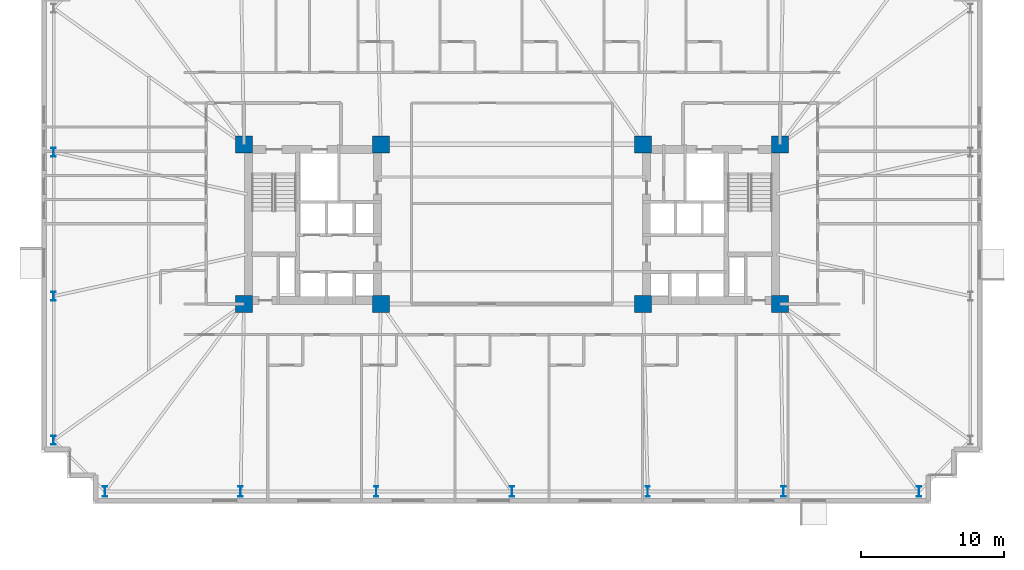
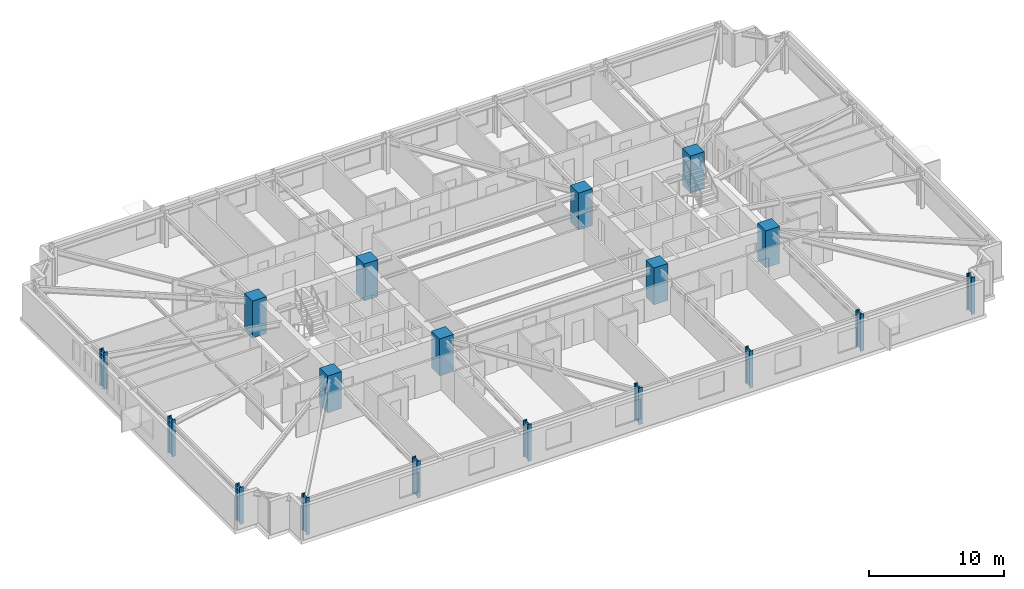
# One storey, part 1 of 21: 18 columns.
"""IFC4 building model written with IfcOpenShell, lengths in metres."""

from ifc_helpers import new_model, si_unit, direction, frame, origin, origin_2d, place, context, subcontext, project, spatial, rectangle, i_section, extrude, material, material_profile, profile_set, type_object, element, save


model = new_model("IFC4")

# Units and contexts
model_context = context("Model", 3, precision=1e-05, world=origin(), true_north=direction((0.0, 1.0)))
body_context = subcontext(model_context, "Body", "Model", "MODEL_VIEW")
ifc_project = project(units=[si_unit("LENGTHUNIT", "METRE"), si_unit("AREAUNIT", "SQUARE_METRE"), si_unit("VOLUMEUNIT", "CUBIC_METRE"), si_unit("PLANEANGLEUNIT", "RADIAN"), si_unit("MASSUNIT", "GRAM", prefix="KILO")], contexts=[model_context])

# Site, building, storey
site_placement = place(None, origin())
site = spatial("IfcSite", under=ifc_project, at=site_placement, CompositionType="ELEMENT")
building_placement = place(site_placement, origin())
building = spatial("IfcBuilding", under=site, at=building_placement, Name="Qobustan Lattice House", CompositionType="ELEMENT")
storey_placement = place(building_placement, frame((0.0, 0.0, 57.14990234375)))
storey = spatial("IfcBuildingStorey", under=building, at=storey_placement, Name="L15", CompositionType="ELEMENT", Elevation=57.14990234375)

# Columns
ifc_material_1 = material(Name="Concrete C60/75", Category="concrete")
ifc_material_profile_1 = material_profile(ifc_material_1, rectangle(XDim=1.199951171875, YDim=1.199951171875, at=origin_2d()), Name="RC1200x1200")
ifc_profile_set_1 = profile_set([ifc_material_profile_1], Name="Concrete C60/75")
column_type_1 = type_object("IfcColumnType", Name="COL-RC-1200", PredefinedType="COLUMN", material=ifc_profile_set_1)
for number, where, z_axis, x_axis, name in (
    (1, (-18.800048828125, -5.60009765625, 0.0), (0.0, 0.0, 1.0), (1.0, 0.0, 0.0), "L15 core mega-column CW-SW"),
    (2, (-18.800048828125, 5.60009765625, 0.0), (0.0, 0.0, 1.0), (1.0, 0.0, 0.0), "L15 core mega-column CW-NW"),
    (3, (-9.199951171875, -5.60009765625, 0.0), (0.0, 0.0, 1.0), (1.0, 0.0, 0.0), "L15 core mega-column CW-SE"),
    (4, (-9.199951171875, 5.60009765625, 0.0), (0.0, 0.0, 1.0), (1.0, 0.0, 0.0), "L15 core mega-column CW-NE"),
    (5, (9.199951171875, -5.60009765625, 0.0), (0.0, 0.0, 1.0), (1.0, 0.0, 0.0), "L15 core mega-column CE-SW"),
    (6, (9.199951171875, 5.60009765625, 0.0), (0.0, 0.0, 1.0), (1.0, 0.0, 0.0), "L15 core mega-column CE-NW"),
    (7, (18.800048828125, -5.60009765625, 0.0), (0.0, 0.0, 1.0), (1.0, 0.0, 0.0), "L15 core mega-column CE-SE"),
    (8, (18.800048828125, 5.60009765625, 0.0), (0.0, 0.0, 1.0), (1.0, 0.0, 0.0), "L15 core mega-column CE-NE"),
):
    element("IfcColumn", number, at=place(storey_placement, frame(where, z_axis=z_axis, x_axis=x_axis)), inside=storey, type_object=column_type_1, Name=name, PredefinedType="COLUMN", context=body_context, shape_type="SweptSolid", body=[
        extrude(rectangle(XDim=1.199951171875, YDim=1.199951171875, at=origin_2d()), origin(), (0.0, 0.0, 1.0), 3.35009765625),
    ])
ifc_material_2 = material(Name="Steel S460", Category="steel")
ifc_material_profile_2 = material_profile(ifc_material_2, i_section(OverallWidth=0.304931640625, OverallDepth=0.6201171875, WebThickness=0.02099609375, FlangeThickness=0.0400390625, FilletRadius=0.027099609375, at=origin_2d()), Name="HEM600")
ifc_profile_set_2 = profile_set([ifc_material_profile_2], Name="Steel S460")
column_type_2 = type_object("IfcColumnType", Name="COL-ST-HEM600", PredefinedType="COLUMN", material=ifc_profile_set_2)
for number, where, z_axis, x_axis, name in (
    (9, (-32.14990234375, 5.050048828125, 0.0), (0.0, 0.0, 1.0), (1.0, 0.0, 0.0), "L15 B1 perimeter column W2"),
    (10, (-32.14990234375, -5.050048828125, 0.0), (0.0, 0.0, 1.0), (1.0, 0.0, 0.0), "L15 B1 perimeter column W3"),
    (11, (-32.14990234375, -15.14990234375, 0.0), (0.0, 0.0, 1.0), (1.0, 0.0, 0.0), "L15 B1 perimeter column W4"),
):
    element("IfcColumn", number, at=place(storey_placement, frame(where, z_axis=z_axis, x_axis=x_axis)), inside=storey, type_object=column_type_2, Name=name, PredefinedType="COLUMN", context=body_context, shape_type="SweptSolid", body=[
        extrude(i_section(OverallWidth=0.304931640625, OverallDepth=0.6201171875, WebThickness=0.02099609375, FlangeThickness=0.0400390625, FilletRadius=0.027099609375, at=origin_2d()), origin(), (0.0, 0.0, 1.0), 3.35009765625),
    ])
ifc_material_3 = material(Name="Steel S460", Category="steel")
ifc_material_profile_3 = material_profile(ifc_material_3, i_section(OverallWidth=0.303955078125, OverallDepth=0.716064453125, WebThickness=0.02099609375, FlangeThickness=0.0400390625, FilletRadius=0.027099609375, at=origin_2d()), Name="HEM700")
ifc_profile_set_3 = profile_set([ifc_material_profile_3], Name="Steel S460")
column_type_3 = type_object("IfcColumnType", Name="COL-ST-HEM700", PredefinedType="COLUMN", material=ifc_profile_set_3)
for number, where, z_axis, x_axis, name in (
    (12, (-28.550048828125, -18.75, 0.0), (0.0, 0.0, 1.0), (1.0, 0.0, 0.0), "L15 B1 perimeter column S1"),
    (13, (-19.033203125, -18.75, 0.0), (0.0, 0.0, 1.0), (1.0, 0.0, 0.0), "L15 B1 perimeter column S2"),
    (14, (-9.5166015625, -18.75, 0.0), (0.0, 0.0, 1.0), (1.0, 0.0, 0.0), "L15 B1 perimeter column S3"),
    (15, (0.0, -18.75, 0.0), (0.0, 0.0, 1.0), (1.0, 0.0, 0.0), "L15 B1 perimeter column S4"),
    (16, (9.5166015625, -18.75, 0.0), (0.0, 0.0, 1.0), (1.0, 0.0, 0.0), "L15 B1 perimeter column S5"),
    (17, (19.033203125, -18.75, 0.0), (0.0, 0.0, 1.0), (1.0, 0.0, 0.0), "L15 B1 perimeter column S6"),
    (18, (28.550048828125, -18.75, 0.0), (0.0, 0.0, 1.0), (1.0, 0.0, 0.0), "L15 B1 perimeter column S7"),
):
    element("IfcColumn", number, at=place(storey_placement, frame(where, z_axis=z_axis, x_axis=x_axis)), inside=storey, type_object=column_type_3, Name=name, PredefinedType="COLUMN", context=body_context, shape_type="SweptSolid", body=[
        extrude(i_section(OverallWidth=0.303955078125, OverallDepth=0.716064453125, WebThickness=0.02099609375, FlangeThickness=0.0400390625, FilletRadius=0.027099609375, at=origin_2d()), origin(), (0.0, 0.0, 1.0), 3.35009765625),
    ])

save(model, "model.ifc")
